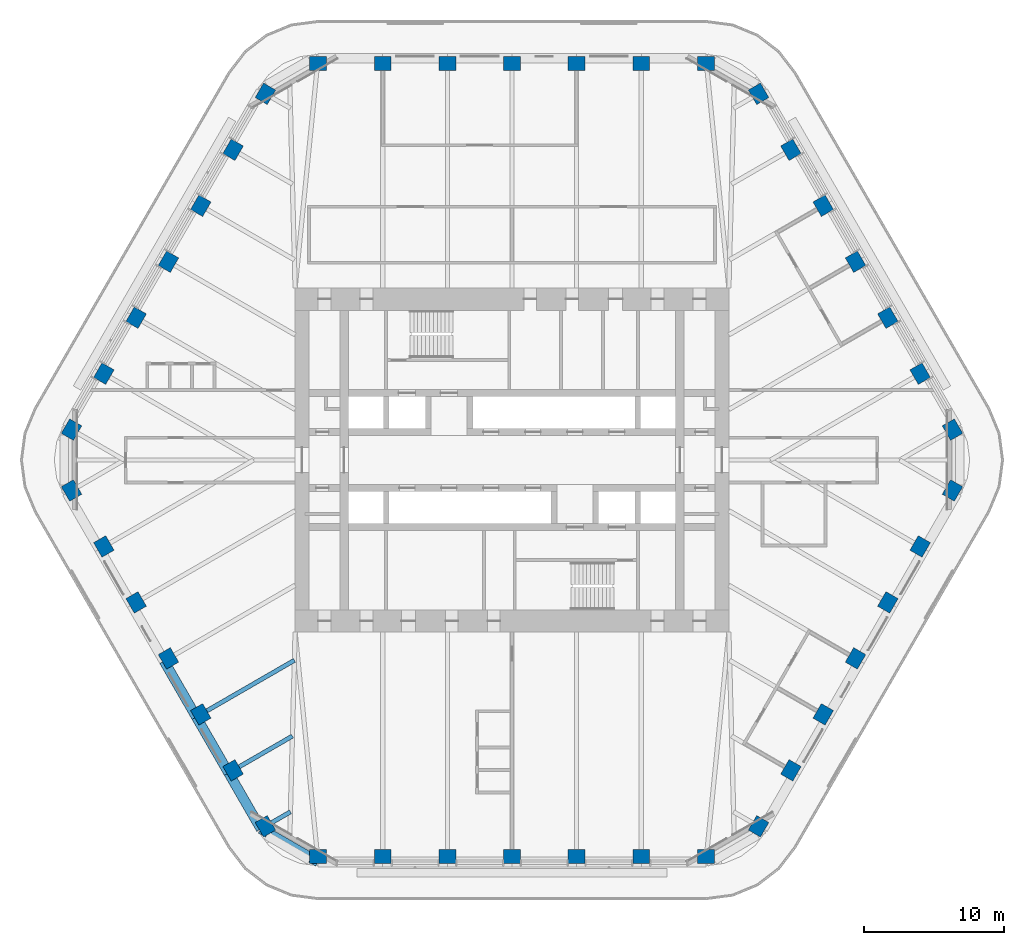
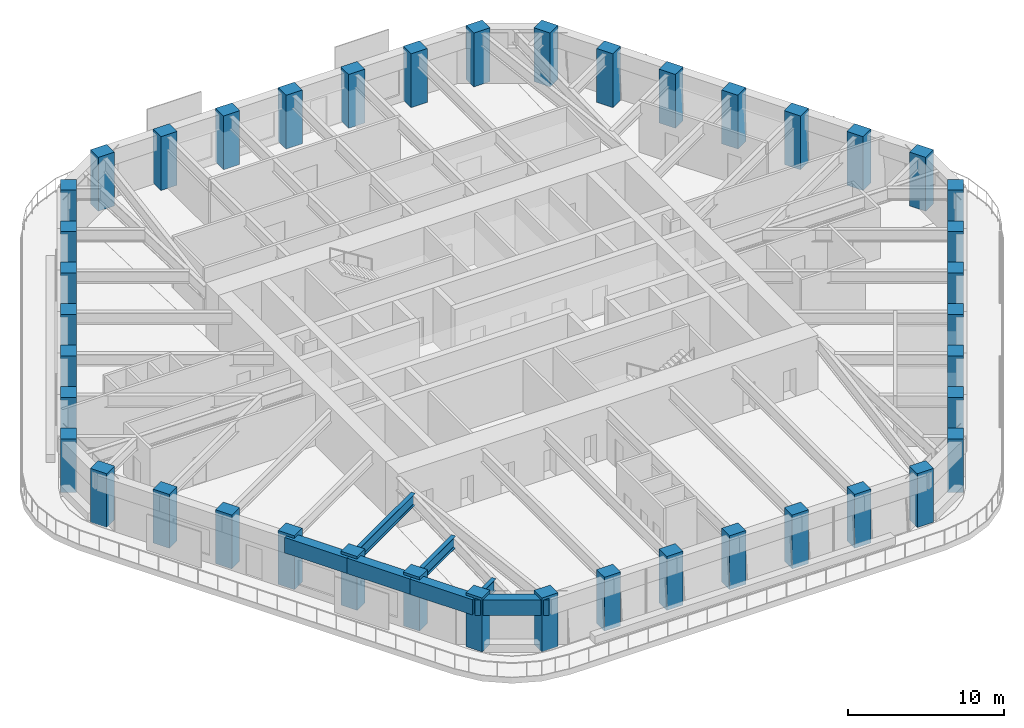
# One storey, part 1 of 20: 42 columns, 7 beams.
"""IFC4 building model written with IfcOpenShell, lengths in metres."""

from ifc_helpers import new_model, si_unit, direction, frame, origin, origin_2d, place, context, subcontext, project, spatial, rectangle, i_section, extrude, material, material_profile, profile_set, type_object, element, save


model = new_model("IFC4")

# Units and contexts
model_context = context("Model", 3, precision=1e-05, world=origin(), true_north=direction((0.0, 1.0)))
body_context = subcontext(model_context, "Body", "Model", "MODEL_VIEW")
ifc_project = project(units=[si_unit("LENGTHUNIT", "METRE"), si_unit("AREAUNIT", "SQUARE_METRE"), si_unit("VOLUMEUNIT", "CUBIC_METRE"), si_unit("PLANEANGLEUNIT", "RADIAN"), si_unit("MASSUNIT", "GRAM", prefix="KILO")], contexts=[model_context])

# Site, building, storey
site_placement = place(None, origin())
site = spatial("IfcSite", under=ifc_project, at=site_placement, CompositionType="ELEMENT")
building_placement = place(site_placement, origin())
building = spatial("IfcBuilding", under=site, at=building_placement, Name="Tarfa Lantern Tower", CompositionType="ELEMENT")
storey_placement = place(building_placement, frame((0.0, 0.0, 270.10009765625)))
storey = spatial("IfcBuildingStorey", under=building, at=storey_placement, Name="L61", CompositionType="ELEMENT", Elevation=270.10009765625)

# Columns
ifc_material_1 = material(Name="Concrete C80/95", Category="concrete")
ifc_material_profile_1 = material_profile(ifc_material_1, rectangle(XDim=1.199951171875, YDim=1.0, at=origin_2d()), Name="RC 1200x1000")
ifc_profile_set_1 = profile_set([ifc_material_profile_1], Name="Concrete C80/95")
column_type = type_object("IfcColumnType", Name="TC11 RC 1200x1000", PredefinedType="COLUMN", material=ifc_profile_set_1)
for number, where, z_axis, x_axis, name in (
    (1, (31.47998046875, 2.175048828125, 0.0), (0.0, 0.0, 1.0), (-0.5, 0.866025403784, 0.0), "Tube column NE0"),
    (2, (29.170654296875, 6.175048828125, 0.0), (0.0, 0.0, 1.0), (-0.5, 0.866025403784, 0.0), "Tube column NE1"),
    (3, (26.861328125, 10.175048828125, 0.0), (0.0, 0.0, 1.0), (-0.5, 0.866025403784, 0.0), "Tube column NE2"),
    (4, (24.5517578125, 14.175048828125, 0.0), (0.0, 0.0, 1.0), (-0.5, 0.866025403784, 0.0), "Tube column NE3"),
    (5, (22.242431640625, 18.175048828125, 0.0), (0.0, 0.0, 1.0), (-0.5, 0.866025403784, 0.0), "Tube column NE4"),
    (6, (19.93310546875, 22.175048828125, 0.0), (0.0, 0.0, 1.0), (-0.5, 0.866025403784, 0.0), "Tube column NE5"),
    (7, (17.62353515625, 26.175048828125, 0.0), (0.0, 0.0, 1.0), (-0.5, 0.866025403784, 0.0), "Tube column NE6"),
    (8, (13.8564453125, 28.35009765625, 0.0), (0.0, 0.0, 1.0), (-1.0, 0.0, 0.0), "Tube column N0"),
    (9, (9.237548828125, 28.35009765625, 0.0), (0.0, 0.0, 1.0), (-1.0, 0.0, 0.0), "Tube column N1"),
    (10, (4.618896484375, 28.35009765625, 0.0), (0.0, 0.0, 1.0), (-1.0, 0.0, 0.0), "Tube column N2"),
    (11, (0.0, 28.35009765625, 0.0), (0.0, 0.0, 1.0), (-1.0, 0.0, 0.0), "Tube column N3"),
    (12, (-4.618896484375, 28.35009765625, 0.0), (0.0, 0.0, 1.0), (-1.0, 0.0, 0.0), "Tube column N4"),
    (13, (-9.237548828125, 28.35009765625, 0.0), (0.0, 0.0, 1.0), (-1.0, 0.0, 0.0), "Tube column N5"),
    (14, (-13.8564453125, 28.35009765625, 0.0), (0.0, 0.0, 1.0), (-1.0, 0.0, 0.0), "Tube column N6"),
    (15, (-17.62353515625, 26.175048828125, 0.0), (0.0, 0.0, 1.0), (-0.5, -0.866025403784, 0.0), "Tube column NW0"),
    (16, (-19.93310546875, 22.175048828125, 0.0), (0.0, 0.0, 1.0), (-0.5, -0.866025403784, 0.0), "Tube column NW1"),
    (17, (-22.242431640625, 18.175048828125, 0.0), (0.0, 0.0, 1.0), (-0.5, -0.866025403784, 0.0), "Tube column NW2"),
    (18, (-24.5517578125, 14.175048828125, 0.0), (0.0, 0.0, 1.0), (-0.5, -0.866025403784, 0.0), "Tube column NW3"),
    (19, (-26.861328125, 10.175048828125, 0.0), (0.0, 0.0, 1.0), (-0.5, -0.866025403784, 0.0), "Tube column NW4"),
    (20, (-29.170654296875, 6.175048828125, 0.0), (0.0, 0.0, 1.0), (-0.5, -0.866025403784, 0.0), "Tube column NW5"),
    (21, (-31.47998046875, 2.175048828125, 0.0), (0.0, 0.0, 1.0), (-0.5, -0.866025403784, 0.0), "Tube column NW6"),
    (22, (-31.47998046875, -2.175048828125, 0.0), (0.0, 0.0, 1.0), (0.5, -0.866025403784, 0.0), "Tube column SW0"),
    (23, (-29.170654296875, -6.175048828125, 0.0), (0.0, 0.0, 1.0), (0.5, -0.866025403784, 0.0), "Tube column SW1"),
    (24, (-26.861328125, -10.175048828125, 0.0), (0.0, 0.0, 1.0), (0.5, -0.866025403784, 0.0), "Tube column SW2"),
    (25, (-24.5517578125, -14.175048828125, 0.0), (0.0, 0.0, 1.0), (0.5, -0.866025403784, 0.0), "Tube column SW3"),
    (26, (-22.242431640625, -18.175048828125, 0.0), (0.0, 0.0, 1.0), (0.5, -0.866025403784, 0.0), "Tube column SW4"),
    (27, (-19.93310546875, -22.175048828125, 0.0), (0.0, 0.0, 1.0), (0.5, -0.866025403784, 0.0), "Tube column SW5"),
    (28, (-17.62353515625, -26.175048828125, 0.0), (0.0, 0.0, 1.0), (0.5, -0.866025403784, 0.0), "Tube column SW6"),
    (29, (-13.8564453125, -28.35009765625, 0.0), (0.0, 0.0, 1.0), (1.0, 0.0, 0.0), "Tube column S0"),
    (30, (-9.237548828125, -28.35009765625, 0.0), (0.0, 0.0, 1.0), (1.0, 0.0, 0.0), "Tube column S1"),
    (31, (-4.618896484375, -28.35009765625, 0.0), (0.0, 0.0, 1.0), (1.0, 0.0, 0.0), "Tube column S2"),
    (32, (0.0, -28.35009765625, 0.0), (0.0, 0.0, 1.0), (1.0, 0.0, 0.0), "Tube column S3"),
    (33, (4.618896484375, -28.35009765625, 0.0), (0.0, 0.0, 1.0), (1.0, 0.0, 0.0), "Tube column S4"),
    (34, (9.237548828125, -28.35009765625, 0.0), (0.0, 0.0, 1.0), (1.0, 0.0, 0.0), "Tube column S5"),
    (35, (13.8564453125, -28.35009765625, 0.0), (0.0, 0.0, 1.0), (1.0, 0.0, 0.0), "Tube column S6"),
    (36, (17.62353515625, -26.175048828125, 0.0), (0.0, 0.0, 1.0), (0.5, 0.866025403784, 0.0), "Tube column SE0"),
    (37, (19.93310546875, -22.175048828125, 0.0), (0.0, 0.0, 1.0), (0.5, 0.866025403784, 0.0), "Tube column SE1"),
    (38, (22.242431640625, -18.175048828125, 0.0), (0.0, 0.0, 1.0), (0.5, 0.866025403784, 0.0), "Tube column SE2"),
    (39, (24.5517578125, -14.175048828125, 0.0), (0.0, 0.0, 1.0), (0.5, 0.866025403784, 0.0), "Tube column SE3"),
    (40, (26.861328125, -10.175048828125, 0.0), (0.0, 0.0, 1.0), (0.5, 0.866025403784, 0.0), "Tube column SE4"),
    (41, (29.170654296875, -6.175048828125, 0.0), (0.0, 0.0, 1.0), (0.5, 0.866025403784, 0.0), "Tube column SE5"),
    (42, (31.47998046875, -2.175048828125, 0.0), (0.0, 0.0, 1.0), (0.5, 0.866025403784, 0.0), "Tube column SE6"),
):
    element("IfcColumn", number, at=place(storey_placement, frame(where, z_axis=z_axis, x_axis=x_axis)), inside=storey, type_object=column_type, Name=name, PredefinedType="COLUMN", context=body_context, shape_type="SweptSolid", body=[
        extrude(rectangle(XDim=1.199951171875, YDim=1.0, at=origin_2d()), origin(), (0.0, 0.0, 1.0), 4.199951171875),
    ])

# Beams
ifc_material_profile_2 = material_profile(ifc_material_1, rectangle(XDim=0.699951171875, YDim=1.199951171875, at=origin_2d()), Name="RC 700x1200")
ifc_profile_set_2 = profile_set([ifc_material_profile_2], Name="Concrete C80/95")
beam_type_1 = type_object("IfcBeamType", Name="EB3 RC 700x1200", PredefinedType="SPANDREL", material=ifc_profile_set_2)
beam_1_placement = place(storey_placement, frame((-24.872314453125, -14.360107421875, 3.39990234375), z_axis=(0.500027479704, -0.866009537788, 0.0), x_axis=(0.866009537788, 0.500027479704, 0.0)))
element("IfcBeam", 43, at=beam_1_placement, inside=storey, type_object=beam_type_1, Name="Edge beam SW3", PredefinedType="SPANDREL", context=body_context, shape_type="SweptSolid", body=[
    extrude(rectangle(XDim=0.699951171875, YDim=1.199951171875, at=origin_2d()), origin(), (0.0, 0.0, 1.0), 4.618896484375),
])
for number, where, z_axis, x_axis, name in (
    (44, (-22.562744140625, -18.360107421875, 3.39990234375), (0.499987836815, -0.866032426089, 0.0), (0.866032426089, 0.499987836815, 0.0), "Edge beam SW4"),
    (45, (-20.25341796875, -22.360107421875, 3.39990234375), (0.499987836815, -0.866032426089, 0.0), (0.866032426089, 0.499987836815, 0.0), "Edge beam SW5"),
):
    element("IfcBeam", number, at=place(storey_placement, frame(where, z_axis=z_axis, x_axis=x_axis)), inside=storey, type_object=beam_type_1, Name=name, PredefinedType="SPANDREL", context=body_context, shape_type="SweptSolid", body=[
        extrude(rectangle(XDim=0.699951171875, YDim=1.199951171875, at=origin_2d()), origin(), (0.0, 0.0, 1.0), 4.61865234375),
    ])
beam_2_placement = place(storey_placement, frame((-17.944091796875, -26.360107421875, 3.39990234375), z_axis=(0.866038294681, -0.499977671647, 0.0), x_axis=(0.499977671647, 0.866038294681, 0.0)))
element("IfcBeam", 46, at=beam_2_placement, inside=storey, type_object=beam_type_1, Name="Edge beam SW6", PredefinedType="SPANDREL", context=body_context, shape_type="SweptSolid", body=[
    extrude(rectangle(XDim=0.699951171875, YDim=1.199951171875, at=origin_2d()), origin(), (0.0, 0.0, 1.0), 4.719970703125),
])
ifc_material_2 = material(Name="Steel S460M", Category="steel")
ifc_material_profile_3 = material_profile(ifc_material_2, i_section(OverallWidth=0.305419921875, OverallDepth=0.91845703125, WebThickness=0.017333984375, FlangeThickness=0.02783203125, FilletRadius=0.01904296875, at=origin_2d()), Name="UB914x305x253")
ifc_profile_set_3 = profile_set([ifc_material_profile_3], Name="Steel S460M")
beam_type_2 = type_object("IfcBeamType", Name="UB914x305x253", PredefinedType="BEAM", material=ifc_profile_set_3)
beam_3_placement = place(storey_placement, frame((-22.562744140625, -18.360107421875, 3.540771484375), z_axis=(0.866010787764, 0.500025314835, 0.0), x_axis=(-0.500025314835, 0.866010787764, 0.0)))
element("IfcBeam", 47, at=beam_3_placement, inside=storey, type_object=beam_type_2, Name="Floor beam SW4", PredefinedType="BEAM", context=body_context, shape_type="SweptSolid", body=[
    extrude(i_section(OverallWidth=0.305419921875, OverallDepth=0.91845703125, WebThickness=0.017333984375, FlangeThickness=0.02783203125, FilletRadius=0.01904296875, at=origin_2d()), origin(), (0.0, 0.0, 1.0), 8.09423828125),
])
beam_4_placement = place(storey_placement, frame((-20.25341796875, -22.360107421875, 3.540771484375), z_axis=(0.86601951648, 0.500010196972, 0.0), x_axis=(-0.500010196972, 0.86601951648, 0.0)))
element("IfcBeam", 48, at=beam_4_placement, inside=storey, type_object=beam_type_2, Name="Floor beam SW5", PredefinedType="BEAM", context=body_context, shape_type="SweptSolid", body=[
    extrude(i_section(OverallWidth=0.305419921875, OverallDepth=0.91845703125, WebThickness=0.017333984375, FlangeThickness=0.02783203125, FilletRadius=0.01904296875, at=origin_2d()), origin(), (0.0, 0.0, 1.0), 5.263671875),
])
beam_5_placement = place(storey_placement, frame((-17.944091796875, -26.360107421875, 3.540771484375), z_axis=(0.865980009423, 0.5000786171, 0.0), x_axis=(-0.5000786171, 0.865980009423, 0.0)))
element("IfcBeam", 49, at=beam_5_placement, inside=storey, type_object=beam_type_2, Name="Floor beam SW6", PredefinedType="BEAM", context=body_context, shape_type="SweptSolid", body=[
    extrude(i_section(OverallWidth=0.305419921875, OverallDepth=0.91845703125, WebThickness=0.017333984375, FlangeThickness=0.02783203125, FilletRadius=0.01904296875, at=origin_2d()), origin(), (0.0, 0.0, 1.0), 2.4326171875),
])

save(model, "model.ifc")
